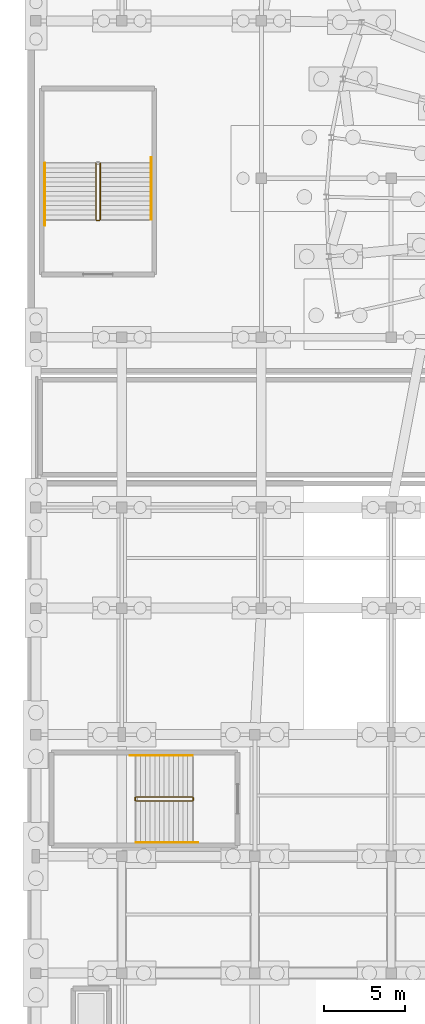
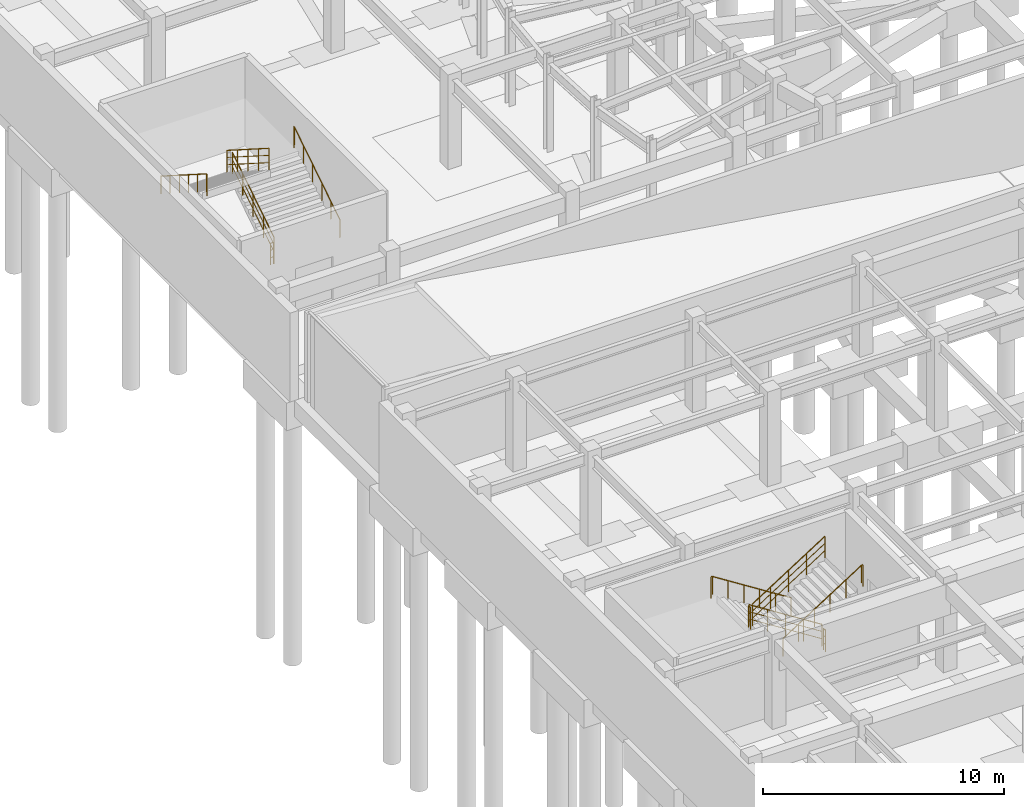
# One storey, part 62 of 68: 11 railings.
"""IFC4 building model written with IfcOpenShell, lengths in metres."""

import ifcopenshell
import ifcopenshell.guid

model = None  # the IFC model being written
_history = None  # IfcOwnerHistory: only IFC2X3 demands one
_inside = {}  # id of a spatial element -> (the spatial element, [elements in it])
_under = {}  # id of a project, library or spatial element -> (it, [spatial elements below it])
_declared = {}  # id of a project -> (the project, [libraries it declares])
_typed = {}  # id of a type object -> (the type object, [elements of that type])
_made_of = {}  # id of a material, layer set ... -> (it, [elements and type objects made of it])


def new_model(schema):
    """Start an empty IFC model of exactly this schema.

    Asked for "IFC4X3", IfcOpenShell would pick the latest addendum, in which some entities
    have other attributes; the version numbers below select the first issue.
    IFC2X3 requires an IfcOwnerHistory on every rooted entity: one is made here for all.
    """
    global model, _history
    if schema == "IFC4X3":
        model = ifcopenshell.file(schema_version=(4, 3, 0, 0))
    else:
        model = ifcopenshell.file(schema=schema)
    _inside.clear()
    _under.clear()
    _declared.clear()
    _typed.clear()
    _made_of.clear()
    _history = None
    if model.schema == "IFC2X3":
        org = make("IfcOrganization", Name="unknown")
        user = make(
            "IfcPersonAndOrganization",
            ThePerson=make("IfcPerson", FamilyName="unknown"),
            TheOrganization=org,
        )
        app = make(
            "IfcApplication",
            ApplicationDeveloper=org,
            Version="unknown",
            ApplicationFullName="unknown",
            ApplicationIdentifier="unknown",
        )
        _history = make(
            "IfcOwnerHistory",
            OwningUser=user,
            OwningApplication=app,
            ChangeAction="ADDED",
            CreationDate=0,
        )
    return model


def make(cls, **values):
    """One entity of the class cls with the attributes given. An attribute that is None is left unset."""
    return model.create_entity(
        cls, **{name: value for name, value in values.items() if value is not None}
    )


def rooted(cls, **values):
    """An entity with a GlobalId (a new one), such as an element, a storey or a relation."""
    return make(cls, GlobalId=ifcopenshell.guid.new(), OwnerHistory=_history, **values)


def si_unit(unit_type, name, prefix=None):
    """IfcSIUnit, for example si_unit("LENGTHUNIT", "METRE", prefix="MILLI")."""
    return make("IfcSIUnit", UnitType=unit_type, Prefix=prefix, Name=name)


def assignment(units):
    """IfcUnitAssignment: the units of a project."""
    return None if units is None else make("IfcUnitAssignment", Units=units)


def point(xyz):
    """IfcCartesianPoint."""
    return None if xyz is None else make("IfcCartesianPoint", Coordinates=xyz)


def direction(xyz):
    """IfcDirection."""
    return None if xyz is None else make("IfcDirection", DirectionRatios=xyz)


def frame(location, z_axis=None, x_axis=None):
    """IfcAxis2Placement3D, a coordinate frame: its origin and axes. An axis left out is left unset."""
    return make(
        "IfcAxis2Placement3D",
        Location=point(location),
        Axis=direction(z_axis),
        RefDirection=direction(x_axis),
    )


def frame_2d(location, x_axis=None):
    """IfcAxis2Placement2D, a coordinate frame in the plane: its origin and x axis."""
    return make(
        "IfcAxis2Placement2D", Location=point(location), RefDirection=direction(x_axis)
    )


def origin():
    """The frame at (0, 0, 0) with its axes left unset."""
    return frame((0.0, 0.0, 0.0))


def origin_2d():
    """The frame at (0, 0) in the plane with its x axis left unset."""
    return frame_2d((0.0, 0.0))


def place(relative_to, where):
    """IfcLocalPlacement: puts the frame where relative to a parent placement (None: the world)."""
    return make(
        "IfcLocalPlacement", PlacementRelTo=relative_to, RelativePlacement=where
    )


def context(
    kind, dimensions, precision=None, world=None, true_north=None, identifier=None
):
    """IfcGeometricRepresentationContext, for example the 3D "Model" context."""
    return make(
        "IfcGeometricRepresentationContext",
        ContextIdentifier=identifier,
        ContextType=kind,
        CoordinateSpaceDimension=dimensions,
        Precision=precision,
        WorldCoordinateSystem=world,
        TrueNorth=true_north,
    )


def subcontext(parent, identifier, kind, view, scale=None):
    """IfcGeometricRepresentationSubContext, for example "Body" below "Model"."""
    return make(
        "IfcGeometricRepresentationSubContext",
        ContextIdentifier=identifier,
        ContextType=kind,
        ParentContext=parent,
        TargetScale=scale,
        TargetView=view,
    )


def project(units=None, contexts=None):
    """IfcProject with its units and contexts."""
    return rooted(
        "IfcProject",
        Name="project",
        RepresentationContexts=contexts,
        UnitsInContext=assignment(units),
    )


def spatial(cls, under=None, at=None, **own):
    """A site, building, storey or space (cls), placed at a placement, below another one or the project."""
    s = rooted(cls, ObjectPlacement=at, **own)
    if under is not None:
        _under.setdefault(under.id(), (under, []))[1].append(s)
    return s


def profile(cls, at=None, kind="AREA", **sizes):
    """A parametric profile (cls). Its sizes go by their IFC names, for example OverallWidth=200.0."""
    return make(cls, ProfileType=kind, Position=at, **sizes)


def circle(**sizes):
    """IfcCircleProfileDef."""
    return profile("IfcCircleProfileDef", **sizes)


def extrude(swept, where, along, depth):
    """IfcExtrudedAreaSolid: the profile swept, set in the frame where, extruded along a direction by depth."""
    return make(
        "IfcExtrudedAreaSolid",
        SweptArea=swept,
        Position=where,
        ExtrudedDirection=direction(along),
        Depth=depth,
    )


def shape(context_of_items, identifier, shape_type, items):
    """IfcShapeRepresentation: the items that make up one representation, for example the "Body"."""
    return make(
        "IfcShapeRepresentation",
        ContextOfItems=context_of_items,
        RepresentationIdentifier=identifier,
        RepresentationType=shape_type,
        Items=items,
    )


def material(Name=None, Category=None):
    """IfcMaterial."""
    return make("IfcMaterial", Name=Name, Category=Category)


def made_of(thing, what):
    """Note that an element or type object is made of a material, layer set ...; save() writes the relation."""
    if what is not None:
        _made_of.setdefault(what.id(), (what, []))[1].append(thing)
    return thing


def type_object(cls, material=None, **own):
    """A type object (cls), such as IfcWallType, which elements share."""
    return made_of(rooted(cls, **own), material)


def element(
    cls,
    number,
    at=None,
    inside=None,
    cuts=None,
    type_object=None,
    material=None,
    context=None,
    identifier="Body",
    shape_type=None,
    held_by="IfcProductDefinitionShape",
    body=None,
    shapes=None,
    **own,
):
    """One element of the class cls, such as IfcWall. Its Tag is "e" and its number.

    at: its placement. inside: the storey or other place that contains it. cuts: it is an
    opening in that element (IfcRelVoidsElement). A single representation is given by context,
    identifier, shape_type and body (its items); several are given by shapes. held_by: the class
    of the entity that holds the representations. save() writes the other relations.
    """
    e = rooted(cls, Tag="e%d" % number, ObjectPlacement=at, **own)
    if body is not None:
        shapes = [shape(context, identifier, shape_type, body)]
    if shapes is not None:
        e.Representation = make(held_by, Representations=shapes)
    if inside is not None:
        _inside.setdefault(inside.id(), (inside, []))[1].append(e)
    if cuts is not None:
        rooted(
            "IfcRelVoidsElement", RelatingBuildingElement=cuts, RelatedOpeningElement=e
        )
    if type_object is not None:
        _typed.setdefault(type_object.id(), (type_object, []))[1].append(e)
    return made_of(e, material)


def aggregate(whole, parts):
    """IfcRelAggregates: a whole, such as a stair, and the parts it consists of."""
    return rooted("IfcRelAggregates", RelatingObject=whole, RelatedObjects=parts)


def save(model, path):
    """Write the relations noted so far, then the file.

    IfcRelAggregates (storeys below a building ...), IfcRelContainedInSpatialStructure (elements
    in a storey), IfcRelDefinesByType, IfcRelAssociatesMaterial and IfcRelDeclares: one each for
    every whole, place, type object, material and project.
    """
    for whole, parts in _under.values():
        aggregate(whole, parts)
    for where, things in _inside.values():
        rooted(
            "IfcRelContainedInSpatialStructure",
            RelatedElements=things,
            RelatingStructure=where,
        )
    for kind, things in _typed.values():
        rooted("IfcRelDefinesByType", RelatedObjects=things, RelatingType=kind)
    for what, things in _made_of.values():
        rooted("IfcRelAssociatesMaterial", RelatedObjects=things, RelatingMaterial=what)
    for by, libraries in _declared.values():
        rooted("IfcRelDeclares", RelatingContext=by, RelatedDefinitions=libraries)
    model.write(path)


model = new_model("IFC4")

# Units and contexts
model_context = context("Model", 3, precision=1e-05, world=origin(), true_north=direction((0.0, 1.0)))
body_context = subcontext(model_context, "Body", "Model", "MODEL_VIEW")
ifc_project = project(units=[si_unit("LENGTHUNIT", "METRE"), si_unit("AREAUNIT", "SQUARE_METRE"), si_unit("VOLUMEUNIT", "CUBIC_METRE"), si_unit("PLANEANGLEUNIT", "RADIAN"), si_unit("MASSUNIT", "GRAM", prefix="KILO")], contexts=[model_context])

# Site, building, storey
site_placement = place(None, origin())
site = spatial("IfcSite", under=ifc_project, at=site_placement, CompositionType="ELEMENT")
building_placement = place(site_placement, origin())
building = spatial("IfcBuilding", under=site, at=building_placement, Name="Cinderbank Siding Concert Hall", CompositionType="ELEMENT")
storey_placement = place(building_placement, frame((0.0, 0.0, -4.800048828125)))
storey = spatial("IfcBuildingStorey", under=building, at=storey_placement, Name="B1", CompositionType="ELEMENT", Elevation=-4.800048828125)

# Railings
ifc_material = material(Name="Structural steel AS/NZS 3679.1 Grade 350 (340 MPa)", Category="steel")
railing_type_1 = type_object("IfcRailingType", Name="STG-01 Stair Well Guardrail 1120mm", PredefinedType="GUARDRAIL", material=ifc_material)
railing_1_placement = place(storey_placement, frame((16.75, 31.659912109375, 0.1845703125)))
element("IfcRailing", 1, at=railing_1_placement, inside=storey, type_object=railing_type_1, Name="B1 ST-06 stair guard 1", PredefinedType="GUARDRAIL", context=body_context, shape_type="SweptSolid", body=[
    extrude(circle(Radius=0.02392578125, at=origin_2d()), frame((0.0, 0.0, 1.09619140625), z_axis=(-0.843546938479, 0.0, 0.53705545578), x_axis=(0.0, -1.0, 0.0)), (0.0, 0.0, 1.0), 4.12548828125),
    extrude(circle(Radius=0.01611328125, at=origin_2d()), frame((0.0, 0.0, 0.36962890625), z_axis=(-0.843546938479, 0.0, 0.53705545578), x_axis=(0.0, -1.0, 0.0)), (0.0, 0.0, 1.0), 4.12548828125),
    extrude(circle(Radius=0.01611328125, at=origin_2d()), frame((0.0, 0.0, 0.7392578125), z_axis=(-0.843546938479, 0.0, 0.53705545578), x_axis=(0.0, -1.0, 0.0)), (0.0, 0.0, 1.0), 4.12548828125),
    extrude(circle(Radius=0.02099609375, at=origin_2d()), origin(), (0.0, 0.0, 1.0), 1.072021484375),
    extrude(circle(Radius=0.02099609375, at=origin_2d()), frame((-0.8701171875, 0.0, 0.553955078125)), (0.0, 0.0, 1.0), 1.072021484375),
    extrude(circle(Radius=0.02099609375, at=origin_2d()), frame((-1.739990234375, 0.0, 1.10791015625)), (0.0, 0.0, 1.0), 1.072021484375),
    extrude(circle(Radius=0.02099609375, at=origin_2d()), frame((-2.60986328125, 0.0, 1.66162109375)), (0.0, 0.0, 1.0), 1.072021484375),
    extrude(circle(Radius=0.02099609375, at=origin_2d()), frame((-3.47998046875, 0.0, 2.215576171875)), (0.0, 0.0, 1.0), 1.072021484375),
])
railing_2_placement = place(storey_placement, frame((13.219970703125, 31.610107421875, 2.400146484375)))
element("IfcRailing", 2, at=railing_2_placement, inside=storey, type_object=railing_type_1, Name="B1 ST-06 stair guard 2", PredefinedType="GUARDRAIL", context=body_context, shape_type="SweptSolid", body=[
    extrude(circle(Radius=0.02392578125, at=origin_2d()), frame((0.0, 0.0, 1.09619140625), z_axis=(0.0, -1.0, 0.0), x_axis=(1.0, 0.0, 0.0)), (0.0, 0.0, 1.0), 0.16015625),
    extrude(circle(Radius=0.01611328125, at=origin_2d()), frame((0.0, 0.0, 0.36962890625), z_axis=(0.0, -1.0, 0.0), x_axis=(1.0, 0.0, 0.0)), (0.0, 0.0, 1.0), 0.16015625),
    extrude(circle(Radius=0.01611328125, at=origin_2d()), frame((0.0, 0.0, 0.7392578125), z_axis=(0.0, -1.0, 0.0), x_axis=(1.0, 0.0, 0.0)), (0.0, 0.0, 1.0), 0.16015625),
    extrude(circle(Radius=0.02099609375, at=origin_2d()), origin(), (0.0, 0.0, 1.0), 1.072021484375),
    extrude(circle(Radius=0.02099609375, at=origin_2d()), frame((0.0, -0.16015625, 0.0)), (0.0, 0.0, 1.0), 1.072021484375),
])
railing_3_placement = place(storey_placement, frame((13.27001953125, 31.39990234375, 2.584716796875)))
element("IfcRailing", 3, at=railing_3_placement, inside=storey, type_object=railing_type_1, Name="B1 ST-06 stair guard 3", PredefinedType="GUARDRAIL", context=body_context, shape_type="SweptSolid", body=[
    extrude(circle(Radius=0.02392578125, at=origin_2d()), frame((0.0, 0.0, 1.09619140625), z_axis=(0.843573748531, 0.0, 0.537013343214), x_axis=(0.0, 1.0, 0.0)), (0.0, 0.0, 1.0), 4.125244140625),
    extrude(circle(Radius=0.01611328125, at=origin_2d()), frame((0.0, 0.0, 0.36962890625), z_axis=(0.843573748531, 0.0, 0.537013343214), x_axis=(0.0, 1.0, 0.0)), (0.0, 0.0, 1.0), 4.125244140625),
    extrude(circle(Radius=0.01611328125, at=origin_2d()), frame((0.0, 0.0, 0.7392578125), z_axis=(0.843573748531, 0.0, 0.537013343214), x_axis=(0.0, 1.0, 0.0)), (0.0, 0.0, 1.0), 4.125244140625),
    extrude(circle(Radius=0.02099609375, at=origin_2d()), origin(), (0.0, 0.0, 1.0), 1.072021484375),
    extrude(circle(Radius=0.02099609375, at=origin_2d()), frame((0.8701171875, 0.0, 0.5537109375)), (0.0, 0.0, 1.0), 1.072021484375),
    extrude(circle(Radius=0.02099609375, at=origin_2d()), frame((1.739990234375, 0.0, 1.107666015625)), (0.0, 0.0, 1.0), 1.072021484375),
    extrude(circle(Radius=0.02099609375, at=origin_2d()), frame((2.60986328125, 0.0, 1.66162109375)), (0.0, 0.0, 1.0), 1.072021484375),
    extrude(circle(Radius=0.02099609375, at=origin_2d()), frame((3.47998046875, 0.0, 2.21533203125)), (0.0, 0.0, 1.0), 1.072021484375),
])
railing_4_placement = place(storey_placement, frame((16.800048828125, 31.610107421875, 0.0)))
element("IfcRailing", 4, at=railing_4_placement, inside=storey, type_object=railing_type_1, Name="B1 ST-06 stair guard 4", PredefinedType="GUARDRAIL", context=body_context, shape_type="SweptSolid", body=[
    extrude(circle(Radius=0.02392578125, at=origin_2d()), frame((0.0, 0.0, 1.09619140625), z_axis=(0.0, -1.0, 0.0), x_axis=(1.0, 0.0, 0.0)), (0.0, 0.0, 1.0), 0.16015625),
    extrude(circle(Radius=0.01611328125, at=origin_2d()), frame((0.0, 0.0, 0.36962890625), z_axis=(0.0, -1.0, 0.0), x_axis=(1.0, 0.0, 0.0)), (0.0, 0.0, 1.0), 0.16015625),
    extrude(circle(Radius=0.01611328125, at=origin_2d()), frame((0.0, 0.0, 0.7392578125), z_axis=(0.0, -1.0, 0.0), x_axis=(1.0, 0.0, 0.0)), (0.0, 0.0, 1.0), 0.16015625),
    extrude(circle(Radius=0.02099609375, at=origin_2d()), origin(), (0.0, 0.0, 1.0), 1.072021484375),
    extrude(circle(Radius=0.02099609375, at=origin_2d()), frame((0.0, -0.16015625, 0.0)), (0.0, 0.0, 1.0), 1.072021484375),
])
railing_5_placement = place(storey_placement, frame((11.06005859375, 67.25, 0.1845703125)))
element("IfcRailing", 5, at=railing_5_placement, inside=storey, type_object=railing_type_1, Name="B1 ST-09 stair guard 1", PredefinedType="GUARDRAIL", context=body_context, shape_type="SweptSolid", body=[
    extrude(circle(Radius=0.02392578125, at=origin_2d()), frame((0.0, 0.0, 1.09619140625), z_axis=(0.0, 0.843546938479, 0.53705545578), x_axis=(-1.0, 0.0, 0.0)), (0.0, 0.0, 1.0), 4.12548828125),
    extrude(circle(Radius=0.01611328125, at=origin_2d()), frame((0.0, 0.0, 0.36962890625), z_axis=(0.0, 0.843546938479, 0.53705545578), x_axis=(-1.0, 0.0, 0.0)), (0.0, 0.0, 1.0), 4.12548828125),
    extrude(circle(Radius=0.01611328125, at=origin_2d()), frame((0.0, 0.0, 0.7392578125), z_axis=(0.0, 0.843546938479, 0.53705545578), x_axis=(-1.0, 0.0, 0.0)), (0.0, 0.0, 1.0), 4.12548828125),
    extrude(circle(Radius=0.02099609375, at=origin_2d()), origin(), (0.0, 0.0, 1.0), 1.072021484375),
    extrude(circle(Radius=0.02099609375, at=origin_2d()), frame((0.0, 0.8701171875, 0.553955078125)), (0.0, 0.0, 1.0), 1.072021484375),
    extrude(circle(Radius=0.02099609375, at=origin_2d()), frame((0.0, 1.739990234375, 1.10791015625)), (0.0, 0.0, 1.0), 1.072021484375),
    extrude(circle(Radius=0.02099609375, at=origin_2d()), frame((0.0, 2.60986328125, 1.66162109375)), (0.0, 0.0, 1.0), 1.072021484375),
    extrude(circle(Radius=0.02099609375, at=origin_2d()), frame((0.0, 3.47998046875, 2.215576171875)), (0.0, 0.0, 1.0), 1.072021484375),
])
railing_6_placement = place(storey_placement, frame((10.800048828125, 70.72998046875, 2.584716796875)))
element("IfcRailing", 6, at=railing_6_placement, inside=storey, type_object=railing_type_1, Name="B1 ST-09 stair guard 3", PredefinedType="GUARDRAIL", context=body_context, shape_type="SweptSolid", body=[
    extrude(circle(Radius=0.02392578125, at=origin_2d()), frame((0.0, 0.0, 1.09619140625), z_axis=(0.0, -0.843573748531, 0.537013343214), x_axis=(1.0, 0.0, 0.0)), (0.0, 0.0, 1.0), 4.125244140625),
    extrude(circle(Radius=0.01611328125, at=origin_2d()), frame((0.0, 0.0, 0.36962890625), z_axis=(0.0, -0.843573748531, 0.537013343214), x_axis=(1.0, 0.0, 0.0)), (0.0, 0.0, 1.0), 4.125244140625),
    extrude(circle(Radius=0.01611328125, at=origin_2d()), frame((0.0, 0.0, 0.7392578125), z_axis=(0.0, -0.843573748531, 0.537013343214), x_axis=(1.0, 0.0, 0.0)), (0.0, 0.0, 1.0), 4.125244140625),
    extrude(circle(Radius=0.02099609375, at=origin_2d()), origin(), (0.0, 0.0, 1.0), 1.072021484375),
    extrude(circle(Radius=0.02099609375, at=origin_2d()), frame((0.0, -0.8701171875, 0.5537109375)), (0.0, 0.0, 1.0), 1.072021484375),
    extrude(circle(Radius=0.02099609375, at=origin_2d()), frame((0.0, -1.739990234375, 1.107666015625)), (0.0, 0.0, 1.0), 1.072021484375),
    extrude(circle(Radius=0.02099609375, at=origin_2d()), frame((0.0, -2.60986328125, 1.66162109375)), (0.0, 0.0, 1.0), 1.072021484375),
    extrude(circle(Radius=0.02099609375, at=origin_2d()), frame((0.0, -3.47998046875, 2.21533203125)), (0.0, 0.0, 1.0), 1.072021484375),
])
railing_7_placement = place(storey_placement, frame((11.010009765625, 67.199951171875, 0.0)))
element("IfcRailing", 7, at=railing_7_placement, inside=storey, type_object=railing_type_1, Name="B1 ST-09 stair guard 4", PredefinedType="GUARDRAIL", context=body_context, shape_type="SweptSolid", body=[
    extrude(circle(Radius=0.02392578125, at=origin_2d()), frame((0.0, 0.0, 1.09619140625), z_axis=(-1.0, 0.0, 0.0), x_axis=(0.0, -1.0, 0.0)), (0.0, 0.0, 1.0), 0.159912109375),
    extrude(circle(Radius=0.01611328125, at=origin_2d()), frame((0.0, 0.0, 0.36962890625), z_axis=(-1.0, 0.0, 0.0), x_axis=(0.0, -1.0, 0.0)), (0.0, 0.0, 1.0), 0.159912109375),
    extrude(circle(Radius=0.01611328125, at=origin_2d()), frame((0.0, 0.0, 0.7392578125), z_axis=(-1.0, 0.0, 0.0), x_axis=(0.0, -1.0, 0.0)), (0.0, 0.0, 1.0), 0.159912109375),
    extrude(circle(Radius=0.02099609375, at=origin_2d()), origin(), (0.0, 0.0, 1.0), 1.072021484375),
    extrude(circle(Radius=0.02099609375, at=origin_2d()), frame((-0.159912109375, 0.0, 0.0)), (0.0, 0.0, 1.0), 1.072021484375),
])
railing_type_2 = type_object("IfcRailingType", Name="STH-01 Stair Pitch Handrail 920mm", PredefinedType="HANDRAIL", material=ifc_material)
railing_8_placement = place(storey_placement, frame((16.75, 34.2099609375, 0.1845703125)))
element("IfcRailing", 8, at=railing_8_placement, inside=storey, type_object=railing_type_2, Name="B1 ST-06 stair handrail 1", PredefinedType="HANDRAIL", context=body_context, shape_type="SweptSolid", body=[
    extrude(circle(Radius=0.02392578125, at=origin_2d()), frame((0.0, 0.0, 0.89599609375), z_axis=(-0.843555751359, 0.0, 0.537041613237), x_axis=(0.0, -1.0, 0.0)), (0.0, 0.0, 1.0), 4.46923828125),
    extrude(circle(Radius=0.02392578125, at=origin_2d()), frame((-3.77001953125, 0.0, 3.2958984375), z_axis=(-1.0, 0.0, 0.0), x_axis=(0.0, -1.0, 0.0)), (0.0, 0.0, 1.0), 0.06005859375),
    extrude(circle(Radius=0.02099609375, at=origin_2d()), origin(), (0.0, 0.0, 1.0), 0.871826171875),
    extrude(circle(Radius=0.02099609375, at=origin_2d()), frame((-0.75390625, 0.0, 0.47998046875)), (0.0, 0.0, 1.0), 0.871826171875),
    extrude(circle(Radius=0.02099609375, at=origin_2d()), frame((-1.508056640625, 0.0, 0.9599609375)), (0.0, 0.0, 1.0), 0.871826171875),
    extrude(circle(Radius=0.02099609375, at=origin_2d()), frame((-2.261962890625, 0.0, 1.440185546875)), (0.0, 0.0, 1.0), 0.871826171875),
    extrude(circle(Radius=0.02099609375, at=origin_2d()), frame((-3.01611328125, 0.0, 1.920166015625)), (0.0, 0.0, 1.0), 0.871826171875),
    extrude(circle(Radius=0.02099609375, at=origin_2d()), frame((-3.77001953125, 0.0, 2.400146484375)), (0.0, 0.0, 1.0), 0.871826171875),
    extrude(circle(Radius=0.02099609375, at=origin_2d()), frame((-3.830078125, 0.0, 2.215576171875)), (0.0, 0.0, 1.0), 1.056396484375),
])
railing_9_placement = place(storey_placement, frame((13.27001953125, 28.85009765625, 2.584716796875)))
element("IfcRailing", 9, at=railing_9_placement, inside=storey, type_object=railing_type_2, Name="B1 ST-06 stair handrail 2", PredefinedType="HANDRAIL", context=body_context, shape_type="SweptSolid", body=[
    extrude(circle(Radius=0.02392578125, at=origin_2d()), frame((0.0, 0.0, 0.89599609375), z_axis=(0.843580498726, 0.0, 0.537002739443), x_axis=(0.0, 1.0, 0.0)), (0.0, 0.0, 1.0), 4.468994140625),
    extrude(circle(Radius=0.02392578125, at=origin_2d()), frame((3.77001953125, 0.0, 3.2958984375), z_axis=(1.0, 0.0, 0.0), x_axis=(0.0, 1.0, 0.0)), (0.0, 0.0, 1.0), 0.06005859375),
    extrude(circle(Radius=0.02099609375, at=origin_2d()), origin(), (0.0, 0.0, 1.0), 0.871826171875),
    extrude(circle(Radius=0.02099609375, at=origin_2d()), frame((0.75390625, 0.0, 0.47998046875)), (0.0, 0.0, 1.0), 0.871826171875),
    extrude(circle(Radius=0.02099609375, at=origin_2d()), frame((1.508056640625, 0.0, 0.9599609375)), (0.0, 0.0, 1.0), 0.871826171875),
    extrude(circle(Radius=0.02099609375, at=origin_2d()), frame((2.261962890625, 0.0, 1.43994140625)), (0.0, 0.0, 1.0), 0.871826171875),
    extrude(circle(Radius=0.02099609375, at=origin_2d()), frame((3.01611328125, 0.0, 1.919921875)), (0.0, 0.0, 1.0), 0.871826171875),
    extrude(circle(Radius=0.02099609375, at=origin_2d()), frame((3.77001953125, 0.0, 2.39990234375)), (0.0, 0.0, 1.0), 0.871826171875),
    extrude(circle(Radius=0.02099609375, at=origin_2d()), frame((3.830078125, 0.0, 2.21533203125)), (0.0, 0.0, 1.0), 1.056396484375),
])
railing_10_placement = place(storey_placement, frame((14.2099609375, 67.25, 0.1845703125)))
element("IfcRailing", 10, at=railing_10_placement, inside=storey, type_object=railing_type_2, Name="B1 ST-09 stair handrail 1", PredefinedType="HANDRAIL", context=body_context, shape_type="SweptSolid", body=[
    extrude(circle(Radius=0.02392578125, at=origin_2d()), frame((0.0, 0.0, 0.89599609375), z_axis=(0.0, 0.843555751359, 0.537041613237), x_axis=(-1.0, 0.0, 0.0)), (0.0, 0.0, 1.0), 4.46923828125),
    extrude(circle(Radius=0.02392578125, at=origin_2d()), frame((0.0, 3.77001953125, 3.2958984375), z_axis=(0.0, 1.0, 0.0), x_axis=(-1.0, 0.0, 0.0)), (0.0, 0.0, 1.0), 0.06005859375),
    extrude(circle(Radius=0.02099609375, at=origin_2d()), origin(), (0.0, 0.0, 1.0), 0.871826171875),
    extrude(circle(Radius=0.02099609375, at=origin_2d()), frame((0.0, 0.75390625, 0.47998046875)), (0.0, 0.0, 1.0), 0.871826171875),
    extrude(circle(Radius=0.02099609375, at=origin_2d()), frame((0.0, 1.508056640625, 0.9599609375)), (0.0, 0.0, 1.0), 0.871826171875),
    extrude(circle(Radius=0.02099609375, at=origin_2d()), frame((0.0, 2.261962890625, 1.440185546875)), (0.0, 0.0, 1.0), 0.871826171875),
    extrude(circle(Radius=0.02099609375, at=origin_2d()), frame((0.0, 3.01611328125, 1.920166015625)), (0.0, 0.0, 1.0), 0.871826171875),
    extrude(circle(Radius=0.02099609375, at=origin_2d()), frame((0.0, 3.77001953125, 2.400146484375)), (0.0, 0.0, 1.0), 0.871826171875),
    extrude(circle(Radius=0.02099609375, at=origin_2d()), frame((0.0, 3.830078125, 2.215576171875)), (0.0, 0.0, 1.0), 1.056396484375),
])
railing_11_placement = place(storey_placement, frame((7.64990234375, 70.72998046875, 2.584716796875)))
element("IfcRailing", 11, at=railing_11_placement, inside=storey, type_object=railing_type_2, Name="B1 ST-09 stair handrail 2", PredefinedType="HANDRAIL", context=body_context, shape_type="SweptSolid", body=[
    extrude(circle(Radius=0.02392578125, at=origin_2d()), frame((0.0, 0.0, 0.89599609375), z_axis=(0.0, -0.843580498726, 0.537002739443), x_axis=(1.0, 0.0, 0.0)), (0.0, 0.0, 1.0), 4.468994140625),
    extrude(circle(Radius=0.02392578125, at=origin_2d()), frame((0.0, -3.77001953125, 3.2958984375), z_axis=(0.0, -1.0, 0.0), x_axis=(1.0, 0.0, 0.0)), (0.0, 0.0, 1.0), 0.06005859375),
    extrude(circle(Radius=0.02099609375, at=origin_2d()), origin(), (0.0, 0.0, 1.0), 0.871826171875),
    extrude(circle(Radius=0.02099609375, at=origin_2d()), frame((0.0, -0.75390625, 0.47998046875)), (0.0, 0.0, 1.0), 0.871826171875),
    extrude(circle(Radius=0.02099609375, at=origin_2d()), frame((0.0, -1.508056640625, 0.9599609375)), (0.0, 0.0, 1.0), 0.871826171875),
    extrude(circle(Radius=0.02099609375, at=origin_2d()), frame((0.0, -2.261962890625, 1.43994140625)), (0.0, 0.0, 1.0), 0.871826171875),
    extrude(circle(Radius=0.02099609375, at=origin_2d()), frame((0.0, -3.01611328125, 1.919921875)), (0.0, 0.0, 1.0), 0.871826171875),
    extrude(circle(Radius=0.02099609375, at=origin_2d()), frame((0.0, -3.77001953125, 2.39990234375)), (0.0, 0.0, 1.0), 0.871826171875),
    extrude(circle(Radius=0.02099609375, at=origin_2d()), frame((0.0, -3.830078125, 2.21533203125)), (0.0, 0.0, 1.0), 1.056396484375),
])

save(model, "model.ifc")
